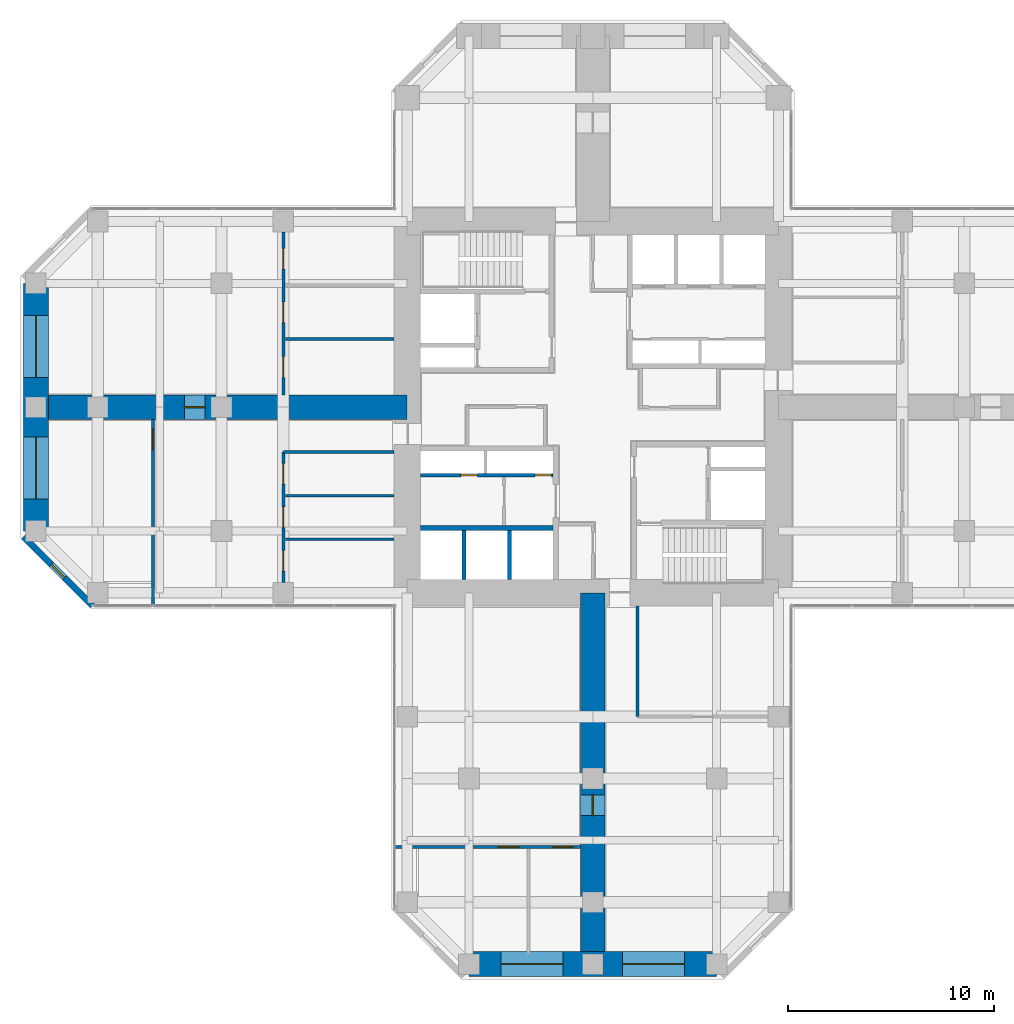
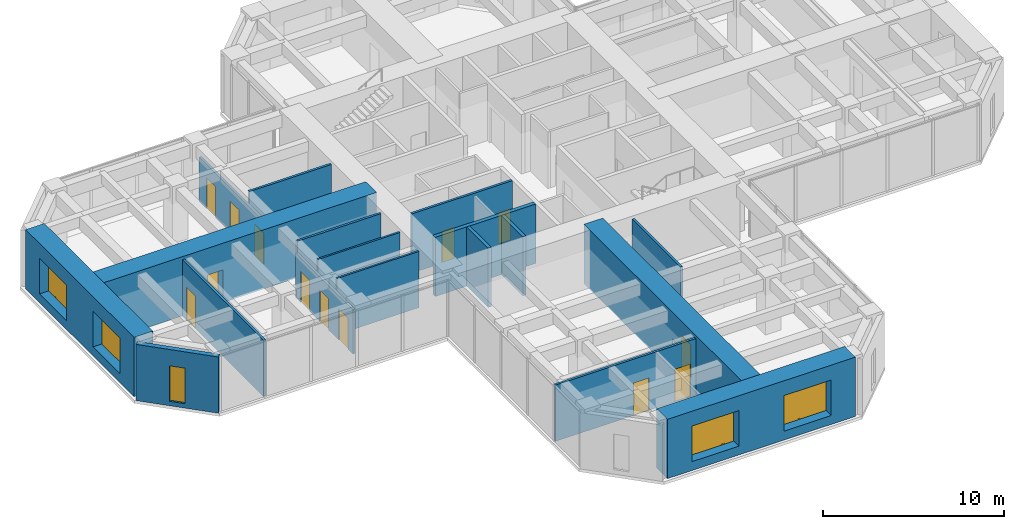
# One storey, part 8 of 12: 18 walls, 13 doors, 5 windows, 18 openings.
"""IFC4 building model written with IfcOpenShell, lengths in metres."""

from ifc_helpers import new_model, si_unit, direction, frame, frame_2d, origin, place, context, subcontext, project, spatial, rectangle, hollow_rectangle, extrude, material, layer, layer_set, constituent, constituent_set, type_object, element, fill, save


model = new_model("IFC4")

# Units and contexts
model_context = context("Model", 3, precision=1e-05, world=origin(), true_north=direction((0.0, 1.0)))
body_context = subcontext(model_context, "Body", "Model", "MODEL_VIEW")
ifc_project = project(units=[si_unit("LENGTHUNIT", "METRE"), si_unit("AREAUNIT", "SQUARE_METRE"), si_unit("VOLUMEUNIT", "CUBIC_METRE"), si_unit("PLANEANGLEUNIT", "RADIAN"), si_unit("MASSUNIT", "GRAM", prefix="KILO")], contexts=[model_context])

# Site, building, storey
site_placement = place(None, origin())
site = spatial("IfcSite", under=ifc_project, at=site_placement, CompositionType="ELEMENT")
building_placement = place(site_placement, origin())
building = spatial("IfcBuilding", under=site, at=building_placement, Name="Torre Cruceta", CompositionType="ELEMENT")
storey_placement = place(building_placement, frame((0.0, 0.0, 112.5)))
storey = spatial("IfcBuildingStorey", under=building, at=storey_placement, Name="L27", CompositionType="ELEMENT", Elevation=112.5)

# Wall
ifc_material_1 = material(Name="Concrete G60 (fck 60 MPa)", Category="concrete")
ifc_layer_1 = layer(ifc_material_1, 0.25)
ifc_layer_set_1 = layer_set([ifc_layer_1], Name="Concrete G60 (fck 60 MPa)")
wall_type_1 = type_object("IfcWallType", Name="CORE INNER WALL 250 G60", PredefinedType="SHEAR", material=ifc_layer_set_1)
wall_1_placement = place(storey_placement, frame((-1.925048828125, -5.85009765625, 0.0), z_axis=(0.0, 0.0, 1.0), x_axis=(-1.0, 0.0, 0.0)))
element("IfcWall", 1, at=wall_1_placement, inside=storey, type_object=wall_type_1, Name="CW4 L27 SW-LV", PredefinedType="SHEAR", context=body_context, shape_type="SweptSolid", body=[
    extrude(rectangle(XDim=6.425048828125, YDim=0.25, at=frame_2d((3.21240234375, 0.0))), origin(), (0.0, 0.0, 1.0), 4.0),
])

# Wall, opening, window
ifc_material_2 = material(Name="Concrete G30 (fck 30 MPa)", Category="concrete")
ifc_layer_2 = layer(ifc_material_2, 0.300048828125)
ifc_layer_set_2 = layer_set([ifc_layer_2], Name="Concrete G30 (fck 30 MPa)")
wall_type_2 = type_object("IfcWallType", Name="EXPOSED CONCRETE FACADE WALL 300", PredefinedType="SOLIDWALL", material=ifc_layer_set_2)
wall_2_placement = place(storey_placement, frame((-27.60009765625, -6.27685546875, 0.0), z_axis=(0.0, 0.0, 1.0), x_axis=(0.707106781187, -0.707106781187, 0.0)))
wall_2 = element("IfcWall", 2, at=wall_2_placement, inside=storey, type_object=wall_type_2, Name="EW1 facade wall L27 W chamfer 13", PredefinedType="SOLIDWALL", context=body_context, shape_type="SweptSolid", body=[
    extrude(rectangle(XDim=4.72802734375, YDim=0.300048828125, at=frame_2d((2.364013671875, 0.0))), origin(), (0.0, 0.0, 1.0), 3.800048828125),
])
opening_1_placement = place(wall_2_placement, frame((1.9140625, 0.0, 0.300048828125)))
opening_1 = element("IfcOpeningElement", 3, at=opening_1_placement, cuts=wall_2, Name="Opening WN5", PredefinedType="OPENING", context=body_context, shape_type="SweptSolid", body=[
    extrude(rectangle(XDim=0.89990234375, YDim=2.39990234375, at=frame_2d((0.449951171875, 1.199951171875))), frame((0.0, 0.159912109375, 0.0), z_axis=(0.0, -1.0, 0.0), x_axis=(1.0, 0.0, 0.0)), (0.0, 0.0, 1.0), 0.320068359375),
])
ifc_material_3 = material(Name="Aluminium window frame", Category="aluminium")
ifc_constituent_1 = constituent(ifc_material_3, Name="Frame")
ifc_material_4 = material(Name="Laminated insulating glass unit, low-iron clear", Category="glass")
ifc_constituent_2 = constituent(ifc_material_4, Name="Glazing")
ifc_constituent_set_1 = constituent_set(constituents=[ifc_constituent_1, ifc_constituent_2], Name="Aluminium window")
window_type_1 = type_object("IfcWindowType", Name="CHAMFER SLOT WINDOW 900X2400", PartitioningType="SINGLE_PANEL", PredefinedType="WINDOW", material=ifc_constituent_set_1)
window_1_placement = place(opening_1_placement, origin())
window_1 = element("IfcWindow", 4, at=window_1_placement, inside=storey, type_object=window_type_1, Name="WN5 L27 W 1", OverallHeight=2.39990234375, OverallWidth=0.89990234375, PartitioningType="SINGLE_PANEL", PredefinedType="WINDOW", context=body_context, shape_type="SweptSolid", body=[
    extrude(hollow_rectangle(XDim=0.89990234375, YDim=2.39990234375, WallThickness=0.06005859375, at=frame_2d((0.449951171875, 1.199951171875))), frame((0.0, 0.030029296875, 0.0), z_axis=(0.0, -1.0, 0.0), x_axis=(1.0, 0.0, 0.0)), (0.0, 0.0, 1.0), 0.06005859375),
    extrude(rectangle(XDim=0.77880859375, YDim=2.27880859375, at=frame_2d((0.449951171875, 1.199951171875))), frame((0.0, 0.030029296875, 0.0), z_axis=(0.0, -1.0, 0.0), x_axis=(1.0, 0.0, 0.0)), (0.0, 0.0, 1.0), 0.06005859375),
])
fill(opening_1, window_1)

# Walls
ifc_material_5 = material(Name="Concrete G35 (fck 35 MPa)", Category="concrete")
ifc_layer_3 = layer(ifc_material_5, 0.199951171875)
ifc_layer_set_3 = layer_set([ifc_layer_3], Name="Concrete G35 (fck 35 MPa)")
wall_type_3 = type_object("IfcWallType", Name="LIFT SHAFT WALL 200", PredefinedType="PARTITIONING", material=ifc_layer_set_3)
for number, where, z_axis, x_axis, name in (
    (5, (-4.033447265625, -5.97509765625, 0.0), (0.0, 0.0, 1.0), (0.0, -1.0, 0.0), "SW1 L27 SW-LS1"),
    (6, (-6.24169921875, -5.97509765625, 0.0), (0.0, 0.0, 1.0), (0.0, -1.0, 0.0), "SW1 L27 SW-LS2"),
):
    element("IfcWall", number, at=place(storey_placement, frame(where, z_axis=z_axis, x_axis=x_axis)), inside=storey, type_object=wall_type_3, Name=name, PredefinedType="PARTITIONING", context=body_context, shape_type="SweptSolid", body=[
        extrude(rectangle(XDim=2.375, YDim=0.199951171875, at=frame_2d((1.1875, 0.0))), origin(), (0.0, 0.0, 1.0), 4.0),
    ])

# Wall, openings, windows
ifc_material_6 = material(Name="Concrete G60 (fck 60 MPa)", Category="concrete")
ifc_layer_4 = layer(ifc_material_6, 1.199951171875)
ifc_layer_set_4 = layer_set([ifc_layer_4], Name="Concrete G60 (fck 60 MPa)")
wall_type_4 = type_object("IfcWallType", Name="NOSE WALL 1200 G60", PredefinedType="SHEAR", material=ifc_layer_set_4)
wall_3_placement = place(storey_placement, frame((-6.0, -27.0, 0.0), z_axis=(0.0, 0.0, 1.0), x_axis=(1.0, 0.0, 0.0)))
wall_3 = element("IfcWall", 7, at=wall_3_placement, inside=storey, type_object=wall_type_4, Name="NW1 nose wall L27 S", PredefinedType="SHEAR", context=body_context, shape_type="SweptSolid", body=[
    extrude(rectangle(XDim=12.0, YDim=1.199951171875, at=frame_2d((6.0, 0.0))), origin(), (0.0, 0.0, 1.0), 4.0),
])
opening_2_placement = place(wall_3_placement, frame((1.550048828125, 0.0, 0.60009765625)))
opening_2 = element("IfcOpeningElement", 8, at=opening_2_placement, cuts=wall_3, Name="Opening WN6", PredefinedType="OPENING", context=body_context, shape_type="SweptSolid", body=[
    extrude(rectangle(XDim=3.0, YDim=2.39990234375, at=frame_2d((1.5, 1.199951171875))), frame((0.0, 0.60986328125, 0.0), z_axis=(0.0, -1.0, 0.0), x_axis=(1.0, 0.0, 0.0)), (0.0, 0.0, 1.0), 1.219970703125),
])
opening_3_placement = place(wall_3_placement, frame((7.449951171875, 0.0, 0.60009765625)))
opening_3 = element("IfcOpeningElement", 9, at=opening_3_placement, cuts=wall_3, Name="Opening WN6", PredefinedType="OPENING", context=body_context, shape_type="SweptSolid", body=[
    extrude(rectangle(XDim=3.0, YDim=2.39990234375, at=frame_2d((1.5, 1.199951171875))), frame((0.0, 0.60986328125, 0.0), z_axis=(0.0, -1.0, 0.0), x_axis=(1.0, 0.0, 0.0)), (0.0, 0.0, 1.0), 1.219970703125),
])
ifc_material_7 = material(Name="Aluminium window frame", Category="aluminium")
ifc_constituent_3 = constituent(ifc_material_7, Name="Frame")
ifc_material_8 = material(Name="Laminated insulating glass unit, low-iron clear", Category="glass")
ifc_constituent_4 = constituent(ifc_material_8, Name="Glazing")
ifc_constituent_set_2 = constituent_set(constituents=[ifc_constituent_3, ifc_constituent_4], Name="Aluminium window")
window_type_2 = type_object("IfcWindowType", Name="NOSE WALL WINDOW 3000X2400", PartitioningType="SINGLE_PANEL", PredefinedType="WINDOW", material=ifc_constituent_set_2)
window_2_placement = place(opening_2_placement, origin())
window_2 = element("IfcWindow", 10, at=window_2_placement, inside=storey, type_object=window_type_2, Name="WN6 L27 S 1", OverallHeight=2.39990234375, OverallWidth=3.0, PartitioningType="SINGLE_PANEL", PredefinedType="WINDOW", context=body_context, shape_type="SweptSolid", body=[
    extrude(hollow_rectangle(XDim=3.0, YDim=2.39990234375, WallThickness=0.06005859375, at=frame_2d((1.5, 1.199951171875))), frame((0.0, 0.030029296875, 0.0), z_axis=(0.0, -1.0, 0.0), x_axis=(1.0, 0.0, 0.0)), (0.0, 0.0, 1.0), 0.06005859375),
    extrude(rectangle(XDim=2.87890625, YDim=2.27880859375, at=frame_2d((1.5, 1.199951171875))), frame((0.0, 0.030029296875, 0.0), z_axis=(0.0, -1.0, 0.0), x_axis=(1.0, 0.0, 0.0)), (0.0, 0.0, 1.0), 0.06005859375),
])
fill(opening_2, window_2)
window_3_placement = place(opening_3_placement, origin())
window_3 = element("IfcWindow", 11, at=window_3_placement, inside=storey, type_object=window_type_2, Name="WN6 L27 S 2", OverallHeight=2.39990234375, OverallWidth=3.0, PartitioningType="SINGLE_PANEL", PredefinedType="WINDOW", context=body_context, shape_type="SweptSolid", body=[
    extrude(hollow_rectangle(XDim=3.0, YDim=2.39990234375, WallThickness=0.06005859375, at=frame_2d((1.5, 1.199951171875))), frame((0.0, 0.030029296875, 0.0), z_axis=(0.0, -1.0, 0.0), x_axis=(1.0, 0.0, 0.0)), (0.0, 0.0, 1.0), 0.06005859375),
    extrude(rectangle(XDim=2.87890625, YDim=2.27880859375, at=frame_2d((1.5, 1.199951171875))), frame((0.0, 0.030029296875, 0.0), z_axis=(0.0, -1.0, 0.0), x_axis=(1.0, 0.0, 0.0)), (0.0, 0.0, 1.0), 0.06005859375),
])
fill(opening_3, window_3)

wall_4_placement = place(storey_placement, frame((-27.0, 6.0, 0.0), z_axis=(0.0, 0.0, 1.0), x_axis=(0.0, -1.0, 0.0)))
wall_4 = element("IfcWall", 12, at=wall_4_placement, inside=storey, type_object=wall_type_4, Name="NW1 nose wall L27 W", PredefinedType="SHEAR", context=body_context, shape_type="SweptSolid", body=[
    extrude(rectangle(XDim=12.0, YDim=1.199951171875, at=frame_2d((6.0, 0.0))), origin(), (0.0, 0.0, 1.0), 4.0),
])
opening_4_placement = place(wall_4_placement, frame((1.550048828125, 0.0, 0.60009765625)))
opening_4 = element("IfcOpeningElement", 13, at=opening_4_placement, cuts=wall_4, Name="Opening WN6", PredefinedType="OPENING", context=body_context, shape_type="SweptSolid", body=[
    extrude(rectangle(XDim=3.0, YDim=2.39990234375, at=frame_2d((1.5, 1.199951171875))), frame((0.0, 0.60986328125, 0.0), z_axis=(0.0, -1.0, 0.0), x_axis=(1.0, 0.0, 0.0)), (0.0, 0.0, 1.0), 1.219970703125),
])
opening_5_placement = place(wall_4_placement, frame((7.449951171875, 0.0, 0.60009765625)))
opening_5 = element("IfcOpeningElement", 14, at=opening_5_placement, cuts=wall_4, Name="Opening WN6", PredefinedType="OPENING", context=body_context, shape_type="SweptSolid", body=[
    extrude(rectangle(XDim=3.0, YDim=2.39990234375, at=frame_2d((1.5, 1.199951171875))), frame((0.0, 0.60986328125, 0.0), z_axis=(0.0, -1.0, 0.0), x_axis=(1.0, 0.0, 0.0)), (0.0, 0.0, 1.0), 1.219970703125),
])
window_4_placement = place(opening_4_placement, origin())
window_4 = element("IfcWindow", 15, at=window_4_placement, inside=storey, type_object=window_type_2, Name="WN6 L27 W 1", OverallHeight=2.39990234375, OverallWidth=3.0, PartitioningType="SINGLE_PANEL", PredefinedType="WINDOW", context=body_context, shape_type="SweptSolid", body=[
    extrude(hollow_rectangle(XDim=3.0, YDim=2.39990234375, WallThickness=0.06005859375, at=frame_2d((1.5, 1.199951171875))), frame((0.0, 0.030029296875, 0.0), z_axis=(0.0, -1.0, 0.0), x_axis=(1.0, 0.0, 0.0)), (0.0, 0.0, 1.0), 0.06005859375),
    extrude(rectangle(XDim=2.87890625, YDim=2.27880859375, at=frame_2d((1.5, 1.199951171875))), frame((0.0, 0.030029296875, 0.0), z_axis=(0.0, -1.0, 0.0), x_axis=(1.0, 0.0, 0.0)), (0.0, 0.0, 1.0), 0.06005859375),
])
fill(opening_4, window_4)
window_5_placement = place(opening_5_placement, origin())
window_5 = element("IfcWindow", 16, at=window_5_placement, inside=storey, type_object=window_type_2, Name="WN6 L27 W 2", OverallHeight=2.39990234375, OverallWidth=3.0, PartitioningType="SINGLE_PANEL", PredefinedType="WINDOW", context=body_context, shape_type="SweptSolid", body=[
    extrude(hollow_rectangle(XDim=3.0, YDim=2.39990234375, WallThickness=0.06005859375, at=frame_2d((1.5, 1.199951171875))), frame((0.0, 0.030029296875, 0.0), z_axis=(0.0, -1.0, 0.0), x_axis=(1.0, 0.0, 0.0)), (0.0, 0.0, 1.0), 0.06005859375),
    extrude(rectangle(XDim=2.87890625, YDim=2.27880859375, at=frame_2d((1.5, 1.199951171875))), frame((0.0, 0.030029296875, 0.0), z_axis=(0.0, -1.0, 0.0), x_axis=(1.0, 0.0, 0.0)), (0.0, 0.0, 1.0), 0.06005859375),
])
fill(opening_5, window_5)

# Wall
ifc_material_9 = material(Name="Plasterboard on steel studs", Category="steel")
ifc_layer_5 = layer(ifc_material_9, 0.14990234375)
ifc_layer_set_5 = layer_set([ifc_layer_5], Name="Plasterboard on steel studs")
wall_type_5 = type_object("IfcWallType", Name="PARTITION 150", PredefinedType="PARTITIONING", material=ifc_layer_set_5)
wall_5_placement = place(storey_placement, frame((2.175048828125, -9.64990234375, 0.0), z_axis=(0.0, 0.0, 1.0), x_axis=(0.0, -1.0, 0.0)))
element("IfcWall", 17, at=wall_5_placement, inside=storey, type_object=wall_type_5, Name="PT1 L27-S-BSL", PredefinedType="PARTITIONING", context=body_context, shape_type="SweptSolid", body=[
    extrude(rectangle(XDim=5.35009765625, YDim=0.14990234375, at=frame_2d((2.675048828125, 0.0))), origin(), (0.0, 0.0, 1.0), 3.800048828125),
])

# Wall, openings, doors
wall_6_placement = place(storey_placement, frame((-9.580078125, -21.320068359375, 0.0), z_axis=(0.0, 0.0, 1.0), x_axis=(1.0, 0.0, 0.0)))
wall_6 = element("IfcWall", 18, at=wall_6_placement, inside=storey, type_object=wall_type_5, Name="PT1 L27-S-TWR", PredefinedType="PARTITIONING", context=body_context, shape_type="SweptSolid", body=[
    extrude(rectangle(XDim=8.97998046875, YDim=0.14990234375, at=frame_2d((4.489990234375, 0.0))), origin(), (0.0, 0.0, 1.0), 3.800048828125),
])
opening_6_placement = place(wall_6_placement, frame((4.987060546875, 0.0, 0.0)))
opening_6 = element("IfcOpeningElement", 19, at=opening_6_placement, cuts=wall_6, Name="Opening D14", PredefinedType="OPENING", context=body_context, shape_type="SweptSolid", body=[
    extrude(rectangle(XDim=1.0, YDim=2.199951171875, at=frame_2d((0.5, 1.10009765625))), frame((0.0, 0.0849609375, 0.0), z_axis=(0.0, -1.0, 0.0), x_axis=(1.0, 0.0, 0.0)), (0.0, 0.0, 1.0), 0.169921875),
])
opening_7_placement = place(wall_6_placement, frame((7.6298828125, 0.0, 0.0)))
opening_7 = element("IfcOpeningElement", 20, at=opening_7_placement, cuts=wall_6, Name="Opening D14", PredefinedType="OPENING", context=body_context, shape_type="SweptSolid", body=[
    extrude(rectangle(XDim=1.0, YDim=2.199951171875, at=frame_2d((0.5, 1.10009765625))), frame((0.0, 0.0849609375, 0.0), z_axis=(0.0, -1.0, 0.0), x_axis=(1.0, 0.0, 0.0)), (0.0, 0.0, 1.0), 0.169921875),
])
ifc_material_10 = material(Name="Steel DX51D", Category="steel")
ifc_constituent_5 = constituent(ifc_material_10, Name="Leaf and frame")
ifc_material_11 = material(Name="Polyester powder coating", Category="paint")
ifc_constituent_6 = constituent(ifc_material_11, Name="Finish")
ifc_material_12 = material(Name="Fire-resisting glass", Category="glass")
ifc_constituent_7 = constituent(ifc_material_12, Name="Vision panel")
ifc_constituent_set_3 = constituent_set(constituents=[ifc_constituent_5, ifc_constituent_6, ifc_constituent_7], Name="Steel fire door with vision panel")
door_type_1 = type_object("IfcDoorType", Name="FIRE DOOR VISION PANEL 1000X2200", OperationType="SINGLE_SWING_RIGHT", PredefinedType="DOOR", material=ifc_constituent_set_3)
door_1_placement = place(opening_6_placement, frame((1.0, 0.0, 0.0), z_axis=(0.0, 0.0, 1.0), x_axis=(-1.0, 0.0, 0.0)))
door_1 = element("IfcDoor", 21, at=door_1_placement, inside=storey, type_object=door_type_1, Name="D14 L27-S-TWR-D1", OperationType="SINGLE_SWING_LEFT", OverallHeight=2.199951171875, OverallWidth=1.0, PredefinedType="DOOR", context=body_context, shape_type="SweptSolid", body=[
    extrude(rectangle(XDim=1.0, YDim=2.199951171875, at=frame_2d((0.5, 1.10009765625))), frame((0.0, 0.025146484375, 0.0), z_axis=(0.0, -1.0, 0.0), x_axis=(1.0, 0.0, 0.0)), (0.0, 0.0, 1.0), 0.050048828125),
])
fill(opening_6, door_1)
door_2_placement = place(opening_7_placement, frame((1.0, 0.0, 0.0), z_axis=(0.0, 0.0, 1.0), x_axis=(-1.0, 0.0, 0.0)))
door_2 = element("IfcDoor", 22, at=door_2_placement, inside=storey, type_object=door_type_1, Name="D14 L27-S-TWR-D2", OperationType="SINGLE_SWING_LEFT", OverallHeight=2.199951171875, OverallWidth=1.0, PredefinedType="DOOR", context=body_context, shape_type="SweptSolid", body=[
    extrude(rectangle(XDim=1.0, YDim=2.199951171875, at=frame_2d((0.5, 1.10009765625))), frame((0.0, 0.025146484375, 0.0), z_axis=(0.0, -1.0, 0.0), x_axis=(1.0, 0.0, 0.0)), (0.0, 0.0, 1.0), 0.050048828125),
])
fill(opening_7, door_2)

wall_7_placement = place(storey_placement, frame((-15.0, -2.175048828125, 0.0), z_axis=(0.0, 0.0, 1.0), x_axis=(0.0, -1.0, 0.0)))
wall_7 = element("IfcWall", 23, at=wall_7_placement, inside=storey, type_object=wall_type_5, Name="PT1 L27-W-BFL", PredefinedType="PARTITIONING", context=body_context, shape_type="SweptSolid", body=[
    extrude(rectangle(XDim=6.324951171875, YDim=0.14990234375, at=frame_2d((3.16259765625, 0.0))), origin(), (0.0, 0.0, 1.0), 3.0),
])
opening_8_placement = place(wall_7_placement, frame((0.55419921875, 0.0, 0.0)))
opening_8 = element("IfcOpeningElement", 24, at=opening_8_placement, cuts=wall_7, Name="Opening D3", PredefinedType="OPENING", context=body_context, shape_type="SweptSolid", body=[
    extrude(rectangle(XDim=1.0, YDim=2.10009765625, at=frame_2d((0.5, 1.050048828125))), frame((0.0, 0.0849609375, 0.0), z_axis=(0.0, -1.0, 0.0), x_axis=(1.0, 0.0, 0.0)), (0.0, 0.0, 1.0), 0.169921875),
])
opening_9_placement = place(wall_7_placement, frame((2.66259765625, 0.0, 0.0)))
opening_9 = element("IfcOpeningElement", 25, at=opening_9_placement, cuts=wall_7, Name="Opening D3", PredefinedType="OPENING", context=body_context, shape_type="SweptSolid", body=[
    extrude(rectangle(XDim=1.0, YDim=2.10009765625, at=frame_2d((0.5, 1.050048828125))), frame((0.0, 0.0849609375, 0.0), z_axis=(0.0, -1.0, 0.0), x_axis=(1.0, 0.0, 0.0)), (0.0, 0.0, 1.0), 0.169921875),
])
opening_10_placement = place(wall_7_placement, frame((4.770751953125, 0.0, 0.0)))
opening_10 = element("IfcOpeningElement", 26, at=opening_10_placement, cuts=wall_7, Name="Opening D3", PredefinedType="OPENING", context=body_context, shape_type="SweptSolid", body=[
    extrude(rectangle(XDim=1.0, YDim=2.10009765625, at=frame_2d((0.5, 1.050048828125))), frame((0.0, 0.0849609375, 0.0), z_axis=(0.0, -1.0, 0.0), x_axis=(1.0, 0.0, 0.0)), (0.0, 0.0, 1.0), 0.169921875),
])
ifc_material_13 = material(Name="Steel DX51D", Category="steel")
ifc_constituent_8 = constituent(ifc_material_13, Name="Leaf and frame")
ifc_material_14 = material(Name="Polyester powder coating", Category="paint")
ifc_constituent_9 = constituent(ifc_material_14, Name="Finish")
ifc_constituent_set_4 = constituent_set(constituents=[ifc_constituent_8, ifc_constituent_9], Name="Steel fire door")
door_type_2 = type_object("IfcDoorType", Name="FIRE DOOR 1000X2100", OperationType="SINGLE_SWING_LEFT", PredefinedType="DOOR", material=ifc_constituent_set_4)
door_3_placement = place(opening_8_placement, origin())
door_3 = element("IfcDoor", 27, at=door_3_placement, inside=storey, type_object=door_type_2, Name="D3 L27-W-BFL-D1", OperationType="SINGLE_SWING_LEFT", OverallHeight=2.10009765625, OverallWidth=1.0, PredefinedType="DOOR", context=body_context, shape_type="SweptSolid", body=[
    extrude(rectangle(XDim=1.0, YDim=2.10009765625, at=frame_2d((0.5, 1.050048828125))), frame((0.0, 0.02490234375, 0.0), z_axis=(0.0, -1.0, 0.0), x_axis=(1.0, 0.0, 0.0)), (0.0, 0.0, 1.0), 0.050048828125),
])
fill(opening_8, door_3)
door_4_placement = place(opening_9_placement, origin())
door_4 = element("IfcDoor", 28, at=door_4_placement, inside=storey, type_object=door_type_2, Name="D3 L27-W-BFL-D2", OperationType="SINGLE_SWING_LEFT", OverallHeight=2.10009765625, OverallWidth=1.0, PredefinedType="DOOR", context=body_context, shape_type="SweptSolid", body=[
    extrude(rectangle(XDim=1.0, YDim=2.10009765625, at=frame_2d((0.5, 1.050048828125))), frame((0.0, 0.02490234375, 0.0), z_axis=(0.0, -1.0, 0.0), x_axis=(1.0, 0.0, 0.0)), (0.0, 0.0, 1.0), 0.050048828125),
])
fill(opening_9, door_4)
door_5_placement = place(opening_10_placement, origin())
door_5 = element("IfcDoor", 29, at=door_5_placement, inside=storey, type_object=door_type_2, Name="D3 L27-W-BFL-D3", OperationType="SINGLE_SWING_LEFT", OverallHeight=2.10009765625, OverallWidth=1.0, PredefinedType="DOOR", context=body_context, shape_type="SweptSolid", body=[
    extrude(rectangle(XDim=1.0, YDim=2.10009765625, at=frame_2d((0.5, 1.050048828125))), frame((0.0, 0.02490234375, 0.0), z_axis=(0.0, -1.0, 0.0), x_axis=(1.0, 0.0, 0.0)), (0.0, 0.0, 1.0), 0.050048828125),
])
fill(opening_10, door_5)

# Wall
wall_8_placement = place(storey_placement, frame((-9.64990234375, -2.175048828125, 0.0), z_axis=(0.0, 0.0, 1.0), x_axis=(-1.0, 0.0, 0.0)))
element("IfcWall", 30, at=wall_8_placement, inside=storey, type_object=wall_type_5, Name="PT1 L27-W-BSL", PredefinedType="PARTITIONING", context=body_context, shape_type="SweptSolid", body=[
    extrude(rectangle(XDim=5.35009765625, YDim=0.14990234375, at=frame_2d((2.675048828125, 0.0))), origin(), (0.0, 0.0, 1.0), 3.800048828125),
])

# Wall, openings, doors
wall_9_placement = place(storey_placement, frame((-15.0, 8.5, 0.0), z_axis=(0.0, 0.0, 1.0), x_axis=(0.0, -1.0, 0.0)))
wall_9 = element("IfcWall", 31, at=wall_9_placement, inside=storey, type_object=wall_type_5, Name="PT1 L27-W-BFR", PredefinedType="PARTITIONING", context=body_context, shape_type="SweptSolid", body=[
    extrude(rectangle(XDim=7.89990234375, YDim=0.14990234375, at=frame_2d((3.949951171875, 0.0))), origin(), (0.0, 0.0, 1.0), 3.0),
])
opening_11_placement = place(wall_9_placement, frame((0.800048828125, 0.0, 0.0)))
opening_11 = element("IfcOpeningElement", 32, at=opening_11_placement, cuts=wall_9, Name="Opening D3", PredefinedType="OPENING", context=body_context, shape_type="SweptSolid", body=[
    extrude(rectangle(XDim=1.0, YDim=2.10009765625, at=frame_2d((0.5, 1.050048828125))), frame((0.0, 0.0849609375, 0.0), z_axis=(0.0, -1.0, 0.0), x_axis=(1.0, 0.0, 0.0)), (0.0, 0.0, 1.0), 0.169921875),
])
opening_12_placement = place(wall_9_placement, frame((3.39990234375, 0.0, 0.0)))
opening_12 = element("IfcOpeningElement", 33, at=opening_12_placement, cuts=wall_9, Name="Opening D3", PredefinedType="OPENING", context=body_context, shape_type="SweptSolid", body=[
    extrude(rectangle(XDim=1.0, YDim=2.10009765625, at=frame_2d((0.5, 1.050048828125))), frame((0.0, 0.0849609375, 0.0), z_axis=(0.0, -1.0, 0.0), x_axis=(1.0, 0.0, 0.0)), (0.0, 0.0, 1.0), 0.169921875),
])
opening_13_placement = place(wall_9_placement, frame((6.050048828125, 0.0, 0.0)))
opening_13 = element("IfcOpeningElement", 34, at=opening_13_placement, cuts=wall_9, Name="Opening D3", PredefinedType="OPENING", context=body_context, shape_type="SweptSolid", body=[
    extrude(rectangle(XDim=1.0, YDim=2.10009765625, at=frame_2d((0.5, 1.050048828125))), frame((0.0, 0.0849609375, 0.0), z_axis=(0.0, -1.0, 0.0), x_axis=(1.0, 0.0, 0.0)), (0.0, 0.0, 1.0), 0.169921875),
])
door_6_placement = place(opening_11_placement, origin())
door_6 = element("IfcDoor", 35, at=door_6_placement, inside=storey, type_object=door_type_2, Name="D3 L27-W-BFR-D1", OperationType="SINGLE_SWING_RIGHT", OverallHeight=2.10009765625, OverallWidth=1.0, PredefinedType="DOOR", context=body_context, shape_type="SweptSolid", body=[
    extrude(rectangle(XDim=1.0, YDim=2.10009765625, at=frame_2d((0.5, 1.050048828125))), frame((0.0, 0.02490234375, 0.0), z_axis=(0.0, -1.0, 0.0), x_axis=(1.0, 0.0, 0.0)), (0.0, 0.0, 1.0), 0.050048828125),
])
fill(opening_11, door_6)
door_7_placement = place(opening_12_placement, origin())
door_7 = element("IfcDoor", 36, at=door_7_placement, inside=storey, type_object=door_type_2, Name="D3 L27-W-BFR-D2", OperationType="SINGLE_SWING_LEFT", OverallHeight=2.10009765625, OverallWidth=1.0, PredefinedType="DOOR", context=body_context, shape_type="SweptSolid", body=[
    extrude(rectangle(XDim=1.0, YDim=2.10009765625, at=frame_2d((0.5, 1.050048828125))), frame((0.0, 0.02490234375, 0.0), z_axis=(0.0, -1.0, 0.0), x_axis=(1.0, 0.0, 0.0)), (0.0, 0.0, 1.0), 0.050048828125),
])
fill(opening_12, door_7)
door_8_placement = place(opening_13_placement, origin())
door_8 = element("IfcDoor", 37, at=door_8_placement, inside=storey, type_object=door_type_2, Name="D3 L27-W-BFR-D3", OperationType="SINGLE_SWING_LEFT", OverallHeight=2.10009765625, OverallWidth=1.0, PredefinedType="DOOR", context=body_context, shape_type="SweptSolid", body=[
    extrude(rectangle(XDim=1.0, YDim=2.10009765625, at=frame_2d((0.5, 1.050048828125))), frame((0.0, 0.02490234375, 0.0), z_axis=(0.0, -1.0, 0.0), x_axis=(1.0, 0.0, 0.0)), (0.0, 0.0, 1.0), 0.050048828125),
])
fill(opening_13, door_8)

# Wall
wall_10_placement = place(storey_placement, frame((-9.64990234375, 3.300048828125, 0.0), z_axis=(0.0, 0.0, 1.0), x_axis=(-1.0, 0.0, 0.0)))
element("IfcWall", 38, at=wall_10_placement, inside=storey, type_object=wall_type_5, Name="PT1 L27-W-BDR1", PredefinedType="PARTITIONING", context=body_context, shape_type="SweptSolid", body=[
    extrude(rectangle(XDim=5.25, YDim=0.14990234375, at=frame_2d((2.625, 0.0))), origin(), (0.0, 0.0, 1.0), 3.800048828125),
])

# Wall, opening, door
wall_11_placement = place(storey_placement, frame((-21.320068359375, -0.60009765625, 0.0), z_axis=(0.0, 0.0, 1.0), x_axis=(0.0, -1.0, 0.0)))
wall_11 = element("IfcWall", 39, at=wall_11_placement, inside=storey, type_object=wall_type_5, Name="PT1 L27-W-TWL", PredefinedType="PARTITIONING", context=body_context, shape_type="SweptSolid", body=[
    extrude(rectangle(XDim=8.97998046875, YDim=0.14990234375, at=frame_2d((4.489990234375, 0.0))), origin(), (0.0, 0.0, 1.0), 3.800048828125),
])
opening_14_placement = place(wall_11_placement, frame((0.449951171875, 0.0, 0.0)))
opening_14 = element("IfcOpeningElement", 40, at=opening_14_placement, cuts=wall_11, Name="Opening D14", PredefinedType="OPENING", context=body_context, shape_type="SweptSolid", body=[
    extrude(rectangle(XDim=1.0, YDim=2.199951171875, at=frame_2d((0.5, 1.10009765625))), frame((0.0, 0.0849609375, 0.0), z_axis=(0.0, -1.0, 0.0), x_axis=(1.0, 0.0, 0.0)), (0.0, 0.0, 1.0), 0.169921875),
])
door_9_placement = place(opening_14_placement, frame((1.0, 0.0, 0.0), z_axis=(0.0, 0.0, 1.0), x_axis=(-1.0, 0.0, 0.0)))
door_9 = element("IfcDoor", 41, at=door_9_placement, inside=storey, type_object=door_type_1, Name="D14 L27-W-TWL-D1", OperationType="SINGLE_SWING_RIGHT", OverallHeight=2.199951171875, OverallWidth=1.0, PredefinedType="DOOR", context=body_context, shape_type="SweptSolid", body=[
    extrude(rectangle(XDim=1.0, YDim=2.199951171875, at=frame_2d((0.5, 1.10009765625))), frame((0.0, 0.025146484375, 0.0), z_axis=(0.0, -1.0, 0.0), x_axis=(1.0, 0.0, 0.0)), (0.0, 0.0, 1.0), 0.050048828125),
])
fill(opening_14, door_9)

# Wall, openings, doors
ifc_material_15 = material(Name="Concrete block masonry", Category="masonry")
ifc_layer_6 = layer(ifc_material_15, 0.14990234375)
ifc_layer_set_6 = layer_set([ifc_layer_6], Name="Concrete block masonry")
wall_type_6 = type_object("IfcWallType", Name="RISER WALL 150", PredefinedType="PARTITIONING", material=ifc_layer_set_6)
wall_12_placement = place(storey_placement, frame((-1.925048828125, -3.300048828125, 0.0), z_axis=(0.0, 0.0, 1.0), x_axis=(-1.0, 0.0, 0.0)))
wall_12 = element("IfcWall", 42, at=wall_12_placement, inside=storey, type_object=wall_type_6, Name="SW7 L27 SW-RV", PredefinedType="PARTITIONING", context=body_context, shape_type="SweptSolid", body=[
    extrude(rectangle(XDim=6.425048828125, YDim=0.14990234375, at=frame_2d((3.21240234375, 0.0))), origin(), (0.0, 0.0, 1.0), 4.0),
])
opening_15_placement = place(wall_12_placement, frame((0.074951171875, 0.0, 0.0)))
opening_15 = element("IfcOpeningElement", 43, at=opening_15_placement, cuts=wall_12, Name="Opening D5", PredefinedType="OPENING", context=body_context, shape_type="SweptSolid", body=[
    extrude(rectangle(XDim=0.800048828125, YDim=2.10009765625, at=frame_2d((0.39990234375, 1.050048828125))), frame((0.0, 0.0849609375, 0.0), z_axis=(0.0, -1.0, 0.0), x_axis=(1.0, 0.0, 0.0)), (0.0, 0.0, 1.0), 0.169921875),
])
opening_16_placement = place(wall_12_placement, frame((3.675048828125, 0.0, 0.0)))
opening_16 = element("IfcOpeningElement", 44, at=opening_16_placement, cuts=wall_12, Name="Opening D5", PredefinedType="OPENING", context=body_context, shape_type="SweptSolid", body=[
    extrude(rectangle(XDim=0.800048828125, YDim=2.10009765625, at=frame_2d((0.39990234375, 1.050048828125))), frame((0.0, 0.0849609375, 0.0), z_axis=(0.0, -1.0, 0.0), x_axis=(1.0, 0.0, 0.0)), (0.0, 0.0, 1.0), 0.169921875),
])
ifc_material_16 = material(Name="Steel DX51D", Category="steel")
ifc_constituent_10 = constituent(ifc_material_16, Name="Leaf and frame")
ifc_material_17 = material(Name="Polyester powder coating", Category="paint")
ifc_constituent_11 = constituent(ifc_material_17, Name="Finish")
ifc_constituent_set_5 = constituent_set(constituents=[ifc_constituent_10, ifc_constituent_11], Name="Steel fire door")
door_type_3 = type_object("IfcDoorType", Name="RISER ACCESS DOOR 800X2100", OperationType="SINGLE_SWING_LEFT", PredefinedType="DOOR", material=ifc_constituent_set_5)
door_10_placement = place(opening_15_placement, frame((0.800048828125, 0.0, 0.0), z_axis=(0.0, 0.0, 1.0), x_axis=(-1.0, 0.0, 0.0)))
door_10 = element("IfcDoor", 45, at=door_10_placement, inside=storey, type_object=door_type_3, Name="D5 L27 SW-RISER1", OperationType="SINGLE_SWING_RIGHT", OverallHeight=2.10009765625, OverallWidth=0.800048828125, PredefinedType="DOOR", context=body_context, shape_type="SweptSolid", body=[
    extrude(rectangle(XDim=0.800048828125, YDim=2.10009765625, at=frame_2d((0.400146484375, 1.050048828125))), frame((0.0, 0.025146484375, 0.0), z_axis=(0.0, -1.0, 0.0), x_axis=(1.0, 0.0, 0.0)), (0.0, 0.0, 1.0), 0.050048828125),
])
fill(opening_15, door_10)
door_11_placement = place(opening_16_placement, frame((0.800048828125, 0.0, 0.0), z_axis=(0.0, 0.0, 1.0), x_axis=(-1.0, 0.0, 0.0)))
door_11 = element("IfcDoor", 46, at=door_11_placement, inside=storey, type_object=door_type_3, Name="D5 L27 SW-RISER2", OperationType="SINGLE_SWING_RIGHT", OverallHeight=2.10009765625, OverallWidth=0.800048828125, PredefinedType="DOOR", context=body_context, shape_type="SweptSolid", body=[
    extrude(rectangle(XDim=0.800048828125, YDim=2.10009765625, at=frame_2d((0.400146484375, 1.050048828125))), frame((0.0, 0.025146484375, 0.0), z_axis=(0.0, -1.0, 0.0), x_axis=(1.0, 0.0, 0.0)), (0.0, 0.0, 1.0), 0.050048828125),
])
fill(opening_16, door_11)

# Wall, opening, door
ifc_material_18 = material(Name="Concrete G60 (fck 60 MPa)", Category="concrete")
ifc_layer_7 = layer(ifc_material_18, 1.199951171875)
ifc_layer_set_7 = layer_set([ifc_layer_7], Name="Concrete G60 (fck 60 MPa)")
wall_type_7 = type_object("IfcWallType", Name="SPINE WALL 1200 G60", PredefinedType="SHEAR", material=ifc_layer_set_7)
wall_13_placement = place(storey_placement, frame((0.0, -9.0, 0.0), z_axis=(0.0, 0.0, 1.0), x_axis=(0.0, -1.0, 0.0)))
wall_13 = element("IfcWall", 47, at=wall_13_placement, inside=storey, type_object=wall_type_7, Name="SW3 spine wall L27 S", PredefinedType="SHEAR", context=body_context, shape_type="SweptSolid", body=[
    extrude(rectangle(XDim=18.0, YDim=1.199951171875, at=frame_2d((9.0, 0.0))), origin(), (0.0, 0.0, 1.0), 4.0),
])
opening_17_placement = place(wall_13_placement, frame((9.800048828125, 0.0, 0.0)))
opening_17 = element("IfcOpeningElement", 48, at=opening_17_placement, cuts=wall_13, Name="Opening D14", PredefinedType="OPENING", context=body_context, shape_type="SweptSolid", body=[
    extrude(rectangle(XDim=1.0, YDim=2.199951171875, at=frame_2d((0.5, 1.10009765625))), frame((0.0, 0.60986328125, 0.0), z_axis=(0.0, -1.0, 0.0), x_axis=(1.0, 0.0, 0.0)), (0.0, 0.0, 1.0), 1.219970703125),
])
door_12_placement = place(opening_17_placement, frame((1.0, 0.0, 0.0), z_axis=(0.0, 0.0, 1.0), x_axis=(-1.0, 0.0, 0.0)))
door_12 = element("IfcDoor", 49, at=door_12_placement, inside=storey, type_object=door_type_1, Name="D14 L27-S-SP1", OperationType="SINGLE_SWING_LEFT", OverallHeight=2.199951171875, OverallWidth=1.0, PredefinedType="DOOR", context=body_context, shape_type="SweptSolid", body=[
    extrude(rectangle(XDim=1.0, YDim=2.199951171875, at=frame_2d((0.5, 1.10009765625))), frame((0.0, 0.025146484375, 0.0), z_axis=(0.0, -1.0, 0.0), x_axis=(1.0, 0.0, 0.0)), (0.0, 0.0, 1.0), 0.050048828125),
])
fill(opening_17, door_12)

wall_14_placement = place(storey_placement, frame((-9.0, 0.0, 0.0), z_axis=(0.0, 0.0, 1.0), x_axis=(-1.0, 0.0, 0.0)))
wall_14 = element("IfcWall", 50, at=wall_14_placement, inside=storey, type_object=wall_type_7, Name="SW3 spine wall L27 W", PredefinedType="SHEAR", context=body_context, shape_type="SweptSolid", body=[
    extrude(rectangle(XDim=18.0, YDim=1.199951171875, at=frame_2d((9.0, 0.0))), origin(), (0.0, 0.0, 1.0), 4.0),
])
opening_18_placement = place(wall_14_placement, frame((9.800048828125, 0.0, 0.0)))
opening_18 = element("IfcOpeningElement", 51, at=opening_18_placement, cuts=wall_14, Name="Opening D14", PredefinedType="OPENING", context=body_context, shape_type="SweptSolid", body=[
    extrude(rectangle(XDim=1.0, YDim=2.199951171875, at=frame_2d((0.5, 1.10009765625))), frame((0.0, 0.60986328125, 0.0), z_axis=(0.0, -1.0, 0.0), x_axis=(1.0, 0.0, 0.0)), (0.0, 0.0, 1.0), 1.219970703125),
])
door_13_placement = place(opening_18_placement, origin())
door_13 = element("IfcDoor", 52, at=door_13_placement, inside=storey, type_object=door_type_1, Name="D14 L27-W-SP1", OperationType="SINGLE_SWING_RIGHT", OverallHeight=2.199951171875, OverallWidth=1.0, PredefinedType="DOOR", context=body_context, shape_type="SweptSolid", body=[
    extrude(rectangle(XDim=1.0, YDim=2.199951171875, at=frame_2d((0.5, 1.10009765625))), frame((0.0, 0.02490234375, 0.0), z_axis=(0.0, -1.0, 0.0), x_axis=(1.0, 0.0, 0.0)), (0.0, 0.0, 1.0), 0.050048828125),
])
fill(opening_18, door_13)

# Walls
ifc_material_19 = material(Name="Plasterboard on steel studs", Category="steel")
ifc_layer_8 = layer(ifc_material_19, 0.1201171875)
ifc_layer_set_8 = layer_set([ifc_layer_8], Name="Plasterboard on steel studs")
wall_type_8 = type_object("IfcWallType", Name="WC PARTITION 120", PredefinedType="PLUMBINGWALL", material=ifc_layer_set_8)
for number, where, z_axis, x_axis, name in (
    (53, (-9.64990234375, -4.283447265625, 0.0), (0.0, 0.0, 1.0), (-1.0, 0.0, 0.0), "PT5 L27-W-BDL1"),
    (54, (-9.64990234375, -6.3916015625, 0.0), (0.0, 0.0, 1.0), (-1.0, 0.0, 0.0), "PT5 L27-W-BDL2"),
):
    element("IfcWall", number, at=place(storey_placement, frame(where, z_axis=z_axis, x_axis=x_axis)), inside=storey, type_object=wall_type_8, Name=name, PredefinedType="PLUMBINGWALL", context=body_context, shape_type="SweptSolid", body=[
        extrude(rectangle(XDim=5.25, YDim=0.1201171875, at=frame_2d((2.625, 0.0))), origin(), (0.0, 0.0, 1.0), 3.800048828125),
    ])

save(model, "model.ifc")
